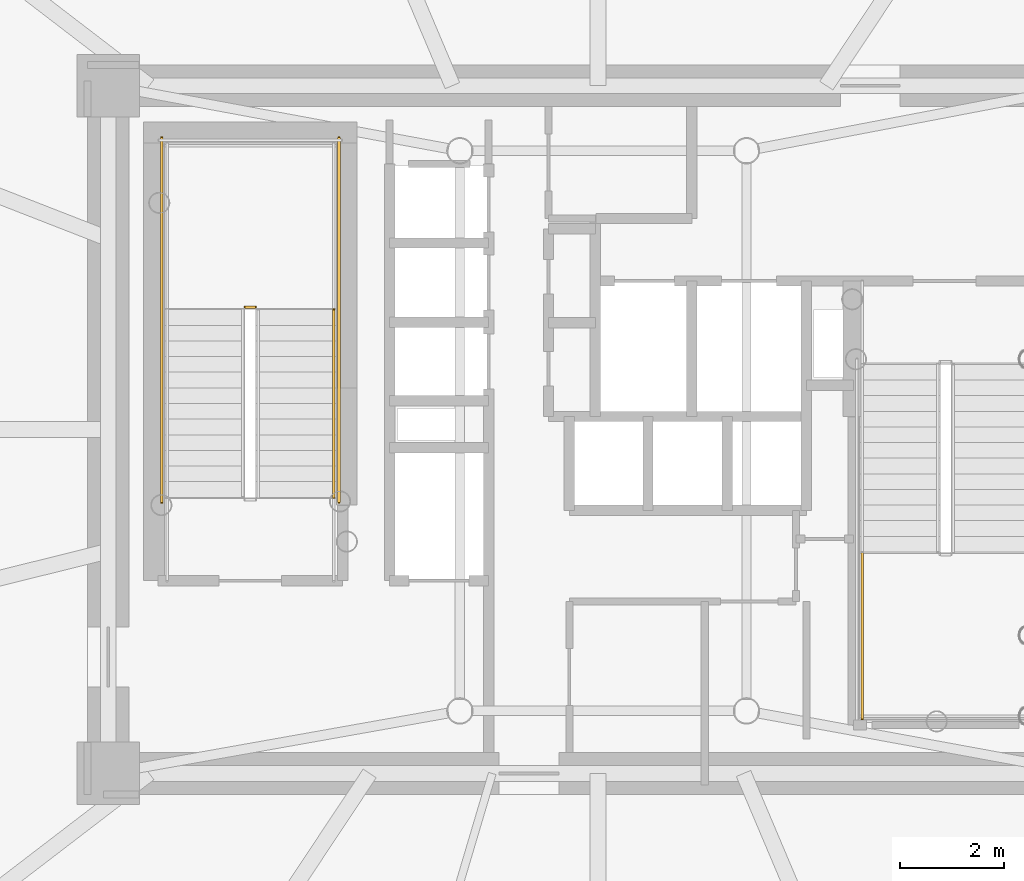
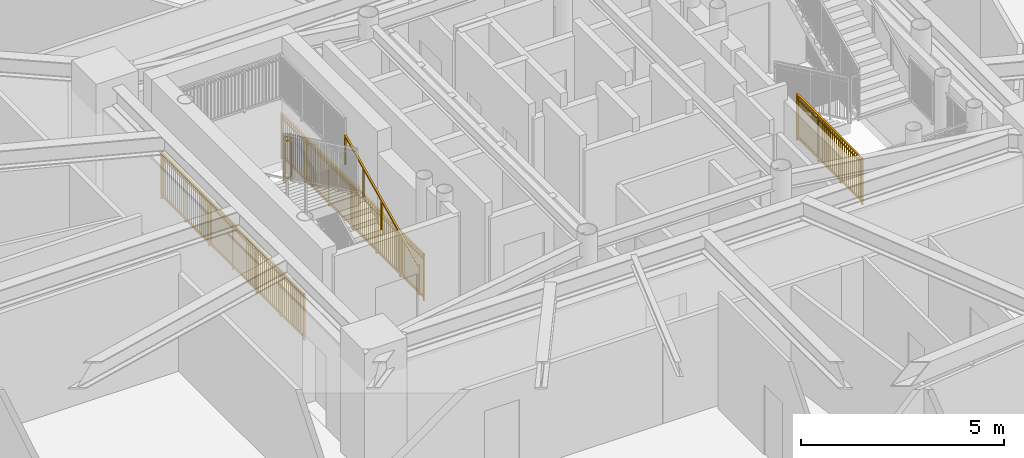
# One storey, part 17 of 21: 5 railings.
"""IFC4 building model written with IfcOpenShell, lengths in metres."""

from ifc_helpers import new_model, si_unit, direction, frame, origin, origin_2d, place, context, subcontext, project, spatial, rectangle, extrude, source, transform, mapped, material, type_object, element, save


model = new_model("IFC4")

# Units and contexts
model_context = context("Model", 3, precision=1e-05, world=origin(), true_north=direction((0.0, 1.0)))
body_context = subcontext(model_context, "Body", "Model", "MODEL_VIEW")
ifc_project = project(units=[si_unit("LENGTHUNIT", "METRE"), si_unit("AREAUNIT", "SQUARE_METRE"), si_unit("VOLUMEUNIT", "CUBIC_METRE"), si_unit("PLANEANGLEUNIT", "RADIAN"), si_unit("MASSUNIT", "GRAM", prefix="KILO")], contexts=[model_context])

# Site, building, storey
site_placement = place(None, origin())
site = spatial("IfcSite", under=ifc_project, at=site_placement, CompositionType="ELEMENT")
building_placement = place(site_placement, origin())
building = spatial("IfcBuilding", under=site, at=building_placement, Name="Linh Dai School and Residence Tower", CompositionType="ELEMENT")
storey_placement = place(building_placement, frame((0.0, 0.0, 171.14990234375)))
storey = spatial("IfcBuildingStorey", under=building, at=storey_placement, Name="L41", CompositionType="ELEMENT", Elevation=171.14990234375)

# Railings
ifc_material_1 = material(Name="Structural Steel S355JR", Category="steel")
railing_type_1 = type_object("IfcRailingType", Name="RL-ST-GUARD-1400", PredefinedType="GUARDRAIL", material=ifc_material_1)
shared_shape_1 = source(origin(), body_context, "Body", "SweptSolid", [
    extrude(rectangle(XDim=0.048095703125, YDim=0.048095703125, at=origin_2d()), frame((0.0, 0.0, 1.3759765625), z_axis=(-1.0, 0.0, 0.0), x_axis=(0.0, -1.0, 0.0)), (0.0, 0.0, 1.0), 0.199951171875),
    extrude(rectangle(XDim=0.048095703125, YDim=0.048095703125, at=origin_2d()), frame((0.0, 0.0, 0.10009765625), z_axis=(-1.0, 0.0, 0.0), x_axis=(0.0, -1.0, 0.0)), (0.0, 0.0, 1.0), 0.199951171875),
    extrude(rectangle(XDim=0.030029296875, YDim=0.030029296875, at=origin_2d()), frame((0.0, 0.0, 1.239990234375), z_axis=(-1.0, 0.0, 0.0), x_axis=(0.0, -1.0, 0.0)), (0.0, 0.0, 1.0), 0.199951171875),
    extrude(rectangle(XDim=0.0419921875, YDim=0.0419921875, at=origin_2d()), origin(), (0.0, 0.0, 1.0), 1.3759765625),
    extrude(rectangle(XDim=0.0419921875, YDim=0.0419921875, at=origin_2d()), frame((-0.199951171875, 0.0, 0.0)), (0.0, 0.0, 1.0), 1.3759765625),
])
railing_1_placement = place(storey_placement, frame((29.429931640625, 29.35009765625, 1.875)))
element("IfcRailing", 1, at=railing_1_placement, inside=storey, type_object=railing_type_1, Name="L41 ST1 stair guard 2", PredefinedType="GUARDRAIL", context=body_context, shape_type="MappedRepresentation", body=[
    mapped(shared_shape_1, transform((0.0, 0.0, 0.0), x_axis=(1.0, 0.0, 0.0), y_axis=(0.0, 1.0, 0.0), z_axis=(0.0, 0.0, 1.0), scale=1.0)),
])
shared_shape_2 = source(origin(), body_context, "Body", "SweptSolid", [
    extrude(rectangle(XDim=0.048095703125, YDim=0.048095703125, at=origin_2d()), frame((0.0, 0.0, 1.3759765625), z_axis=(0.0, 1.0, 0.0), x_axis=(-1.0, 0.0, 0.0)), (0.0, 0.0, 1.0), 7.0),
    extrude(rectangle(XDim=0.048095703125, YDim=0.048095703125, at=origin_2d()), frame((0.0, 0.0, 0.10009765625), z_axis=(0.0, 1.0, 0.0), x_axis=(-1.0, 0.0, 0.0)), (0.0, 0.0, 1.0), 7.0),
    extrude(rectangle(XDim=0.030029296875, YDim=0.030029296875, at=origin_2d()), frame((0.0, 0.0, 1.239990234375), z_axis=(0.0, 1.0, 0.0), x_axis=(-1.0, 0.0, 0.0)), (0.0, 0.0, 1.0), 7.0),
    extrude(rectangle(XDim=0.02001953125, YDim=0.02001953125, at=origin_2d()), frame((0.0, 0.09716796875, 0.10009765625)), (0.0, 0.0, 1.0), 1.251708984375),
    extrude(rectangle(XDim=0.02001953125, YDim=0.02001953125, at=origin_2d()), frame((0.0, 0.1943359375, 0.10009765625)), (0.0, 0.0, 1.0), 1.251708984375),
    extrude(rectangle(XDim=0.02001953125, YDim=0.02001953125, at=origin_2d()), frame((0.0, 0.291748046875, 0.10009765625)), (0.0, 0.0, 1.0), 1.251708984375),
    extrude(rectangle(XDim=0.02001953125, YDim=0.02001953125, at=origin_2d()), frame((0.0, 0.388916015625, 0.10009765625)), (0.0, 0.0, 1.0), 1.251708984375),
    extrude(rectangle(XDim=0.02001953125, YDim=0.02001953125, at=origin_2d()), frame((0.0, 0.486083984375, 0.10009765625)), (0.0, 0.0, 1.0), 1.251708984375),
    extrude(rectangle(XDim=0.02001953125, YDim=0.02001953125, at=origin_2d()), frame((0.0, 0.583251953125, 0.10009765625)), (0.0, 0.0, 1.0), 1.251708984375),
    extrude(rectangle(XDim=0.02001953125, YDim=0.02001953125, at=origin_2d()), frame((0.0, 0.6806640625, 0.10009765625)), (0.0, 0.0, 1.0), 1.251708984375),
    extrude(rectangle(XDim=0.02001953125, YDim=0.02001953125, at=origin_2d()), frame((0.0, 0.77783203125, 0.10009765625)), (0.0, 0.0, 1.0), 1.251708984375),
    extrude(rectangle(XDim=0.02001953125, YDim=0.02001953125, at=origin_2d()), frame((0.0, 0.875, 0.10009765625)), (0.0, 0.0, 1.0), 1.251708984375),
    extrude(rectangle(XDim=0.02001953125, YDim=0.02001953125, at=origin_2d()), frame((0.0, 0.97216796875, 0.10009765625)), (0.0, 0.0, 1.0), 1.251708984375),
    extrude(rectangle(XDim=0.02001953125, YDim=0.02001953125, at=origin_2d()), frame((0.0, 1.0693359375, 0.10009765625)), (0.0, 0.0, 1.0), 1.251708984375),
    extrude(rectangle(XDim=0.02001953125, YDim=0.02001953125, at=origin_2d()), frame((0.0, 1.263916015625, 0.10009765625)), (0.0, 0.0, 1.0), 1.251708984375),
    extrude(rectangle(XDim=0.02001953125, YDim=0.02001953125, at=origin_2d()), frame((0.0, 1.361083984375, 0.10009765625)), (0.0, 0.0, 1.0), 1.251708984375),
    extrude(rectangle(XDim=0.02001953125, YDim=0.02001953125, at=origin_2d()), frame((0.0, 1.458251953125, 0.10009765625)), (0.0, 0.0, 1.0), 1.251708984375),
    extrude(rectangle(XDim=0.02001953125, YDim=0.02001953125, at=origin_2d()), frame((0.0, 1.5556640625, 0.10009765625)), (0.0, 0.0, 1.0), 1.251708984375),
    extrude(rectangle(XDim=0.02001953125, YDim=0.02001953125, at=origin_2d()), frame((0.0, 1.65283203125, 0.10009765625)), (0.0, 0.0, 1.0), 1.251708984375),
    extrude(rectangle(XDim=0.02001953125, YDim=0.02001953125, at=origin_2d()), frame((0.0, 1.75, 0.10009765625)), (0.0, 0.0, 1.0), 1.251708984375),
    extrude(rectangle(XDim=0.02001953125, YDim=0.02001953125, at=origin_2d()), frame((0.0, 1.84716796875, 0.10009765625)), (0.0, 0.0, 1.0), 1.251708984375),
    extrude(rectangle(XDim=0.02001953125, YDim=0.02001953125, at=origin_2d()), frame((0.0, 1.9443359375, 0.10009765625)), (0.0, 0.0, 1.0), 1.251708984375),
    extrude(rectangle(XDim=0.02001953125, YDim=0.02001953125, at=origin_2d()), frame((0.0, 2.041748046875, 0.10009765625)), (0.0, 0.0, 1.0), 1.251708984375),
    extrude(rectangle(XDim=0.02001953125, YDim=0.02001953125, at=origin_2d()), frame((0.0, 2.138916015625, 0.10009765625)), (0.0, 0.0, 1.0), 1.251708984375),
    extrude(rectangle(XDim=0.02001953125, YDim=0.02001953125, at=origin_2d()), frame((0.0, 2.236083984375, 0.10009765625)), (0.0, 0.0, 1.0), 1.251708984375),
    extrude(rectangle(XDim=0.02001953125, YDim=0.02001953125, at=origin_2d()), frame((0.0, 2.4306640625, 0.10009765625)), (0.0, 0.0, 1.0), 1.251708984375),
    extrude(rectangle(XDim=0.02001953125, YDim=0.02001953125, at=origin_2d()), frame((0.0, 2.52783203125, 0.10009765625)), (0.0, 0.0, 1.0), 1.251708984375),
    extrude(rectangle(XDim=0.02001953125, YDim=0.02001953125, at=origin_2d()), frame((0.0, 2.625, 0.10009765625)), (0.0, 0.0, 1.0), 1.251708984375),
    extrude(rectangle(XDim=0.02001953125, YDim=0.02001953125, at=origin_2d()), frame((0.0, 2.72216796875, 0.10009765625)), (0.0, 0.0, 1.0), 1.251708984375),
    extrude(rectangle(XDim=0.02001953125, YDim=0.02001953125, at=origin_2d()), frame((0.0, 2.8193359375, 0.10009765625)), (0.0, 0.0, 1.0), 1.251708984375),
    extrude(rectangle(XDim=0.02001953125, YDim=0.02001953125, at=origin_2d()), frame((0.0, 2.916748046875, 0.10009765625)), (0.0, 0.0, 1.0), 1.251708984375),
    extrude(rectangle(XDim=0.02001953125, YDim=0.02001953125, at=origin_2d()), frame((0.0, 3.013916015625, 0.10009765625)), (0.0, 0.0, 1.0), 1.251708984375),
    extrude(rectangle(XDim=0.02001953125, YDim=0.02001953125, at=origin_2d()), frame((0.0, 3.111083984375, 0.10009765625)), (0.0, 0.0, 1.0), 1.251708984375),
    extrude(rectangle(XDim=0.02001953125, YDim=0.02001953125, at=origin_2d()), frame((0.0, 3.208251953125, 0.10009765625)), (0.0, 0.0, 1.0), 1.251708984375),
    extrude(rectangle(XDim=0.02001953125, YDim=0.02001953125, at=origin_2d()), frame((0.0, 3.3056640625, 0.10009765625)), (0.0, 0.0, 1.0), 1.251708984375),
    extrude(rectangle(XDim=0.02001953125, YDim=0.02001953125, at=origin_2d()), frame((0.0, 3.40283203125, 0.10009765625)), (0.0, 0.0, 1.0), 1.251708984375),
    extrude(rectangle(XDim=0.02001953125, YDim=0.02001953125, at=origin_2d()), frame((0.0, 3.59716796875, 0.10009765625)), (0.0, 0.0, 1.0), 1.251708984375),
    extrude(rectangle(XDim=0.02001953125, YDim=0.02001953125, at=origin_2d()), frame((0.0, 3.6943359375, 0.10009765625)), (0.0, 0.0, 1.0), 1.251708984375),
    extrude(rectangle(XDim=0.02001953125, YDim=0.02001953125, at=origin_2d()), frame((0.0, 3.791748046875, 0.10009765625)), (0.0, 0.0, 1.0), 1.251708984375),
    extrude(rectangle(XDim=0.02001953125, YDim=0.02001953125, at=origin_2d()), frame((0.0, 3.888916015625, 0.10009765625)), (0.0, 0.0, 1.0), 1.251708984375),
    extrude(rectangle(XDim=0.02001953125, YDim=0.02001953125, at=origin_2d()), frame((0.0, 3.986083984375, 0.10009765625)), (0.0, 0.0, 1.0), 1.251708984375),
    extrude(rectangle(XDim=0.02001953125, YDim=0.02001953125, at=origin_2d()), frame((0.0, 4.083251953125, 0.10009765625)), (0.0, 0.0, 1.0), 1.251708984375),
    extrude(rectangle(XDim=0.02001953125, YDim=0.02001953125, at=origin_2d()), frame((0.0, 4.1806640625, 0.10009765625)), (0.0, 0.0, 1.0), 1.251708984375),
    extrude(rectangle(XDim=0.02001953125, YDim=0.02001953125, at=origin_2d()), frame((0.0, 4.27783203125, 0.10009765625)), (0.0, 0.0, 1.0), 1.251708984375),
    extrude(rectangle(XDim=0.02001953125, YDim=0.02001953125, at=origin_2d()), frame((0.0, 4.375, 0.10009765625)), (0.0, 0.0, 1.0), 1.251708984375),
    extrude(rectangle(XDim=0.02001953125, YDim=0.02001953125, at=origin_2d()), frame((0.0, 4.47216796875, 0.10009765625)), (0.0, 0.0, 1.0), 1.251708984375),
    extrude(rectangle(XDim=0.02001953125, YDim=0.02001953125, at=origin_2d()), frame((0.0, 4.5693359375, 0.10009765625)), (0.0, 0.0, 1.0), 1.251708984375),
    extrude(rectangle(XDim=0.02001953125, YDim=0.02001953125, at=origin_2d()), frame((0.0, 4.763916015625, 0.10009765625)), (0.0, 0.0, 1.0), 1.251708984375),
    extrude(rectangle(XDim=0.02001953125, YDim=0.02001953125, at=origin_2d()), frame((0.0, 4.861083984375, 0.10009765625)), (0.0, 0.0, 1.0), 1.251708984375),
    extrude(rectangle(XDim=0.02001953125, YDim=0.02001953125, at=origin_2d()), frame((0.0, 4.958251953125, 0.10009765625)), (0.0, 0.0, 1.0), 1.251708984375),
    extrude(rectangle(XDim=0.02001953125, YDim=0.02001953125, at=origin_2d()), frame((0.0, 5.0556640625, 0.10009765625)), (0.0, 0.0, 1.0), 1.251708984375),
    extrude(rectangle(XDim=0.02001953125, YDim=0.02001953125, at=origin_2d()), frame((0.0, 5.15283203125, 0.10009765625)), (0.0, 0.0, 1.0), 1.251708984375),
    extrude(rectangle(XDim=0.02001953125, YDim=0.02001953125, at=origin_2d()), frame((0.0, 5.25, 0.10009765625)), (0.0, 0.0, 1.0), 1.251708984375),
    extrude(rectangle(XDim=0.02001953125, YDim=0.02001953125, at=origin_2d()), frame((0.0, 5.34716796875, 0.10009765625)), (0.0, 0.0, 1.0), 1.251708984375),
    extrude(rectangle(XDim=0.02001953125, YDim=0.02001953125, at=origin_2d()), frame((0.0, 5.4443359375, 0.10009765625)), (0.0, 0.0, 1.0), 1.251708984375),
    extrude(rectangle(XDim=0.02001953125, YDim=0.02001953125, at=origin_2d()), frame((0.0, 5.541748046875, 0.10009765625)), (0.0, 0.0, 1.0), 1.251708984375),
    extrude(rectangle(XDim=0.02001953125, YDim=0.02001953125, at=origin_2d()), frame((0.0, 5.638916015625, 0.10009765625)), (0.0, 0.0, 1.0), 1.251708984375),
    extrude(rectangle(XDim=0.02001953125, YDim=0.02001953125, at=origin_2d()), frame((0.0, 5.736083984375, 0.10009765625)), (0.0, 0.0, 1.0), 1.251708984375),
    extrude(rectangle(XDim=0.02001953125, YDim=0.02001953125, at=origin_2d()), frame((0.0, 5.9306640625, 0.10009765625)), (0.0, 0.0, 1.0), 1.251708984375),
    extrude(rectangle(XDim=0.02001953125, YDim=0.02001953125, at=origin_2d()), frame((0.0, 6.02783203125, 0.10009765625)), (0.0, 0.0, 1.0), 1.251708984375),
    extrude(rectangle(XDim=0.02001953125, YDim=0.02001953125, at=origin_2d()), frame((0.0, 6.125, 0.10009765625)), (0.0, 0.0, 1.0), 1.251708984375),
    extrude(rectangle(XDim=0.02001953125, YDim=0.02001953125, at=origin_2d()), frame((0.0, 6.22216796875, 0.10009765625)), (0.0, 0.0, 1.0), 1.251708984375),
    extrude(rectangle(XDim=0.02001953125, YDim=0.02001953125, at=origin_2d()), frame((0.0, 6.3193359375, 0.10009765625)), (0.0, 0.0, 1.0), 1.251708984375),
    extrude(rectangle(XDim=0.02001953125, YDim=0.02001953125, at=origin_2d()), frame((0.0, 6.416748046875, 0.10009765625)), (0.0, 0.0, 1.0), 1.251708984375),
    extrude(rectangle(XDim=0.02001953125, YDim=0.02001953125, at=origin_2d()), frame((0.0, 6.513916015625, 0.10009765625)), (0.0, 0.0, 1.0), 1.251708984375),
    extrude(rectangle(XDim=0.02001953125, YDim=0.02001953125, at=origin_2d()), frame((0.0, 6.611083984375, 0.10009765625)), (0.0, 0.0, 1.0), 1.251708984375),
    extrude(rectangle(XDim=0.02001953125, YDim=0.02001953125, at=origin_2d()), frame((0.0, 6.708251953125, 0.10009765625)), (0.0, 0.0, 1.0), 1.251708984375),
    extrude(rectangle(XDim=0.02001953125, YDim=0.02001953125, at=origin_2d()), frame((0.0, 6.8056640625, 0.10009765625)), (0.0, 0.0, 1.0), 1.251708984375),
    extrude(rectangle(XDim=0.02001953125, YDim=0.02001953125, at=origin_2d()), frame((0.0, 6.90283203125, 0.10009765625)), (0.0, 0.0, 1.0), 1.251708984375),
    extrude(rectangle(XDim=0.0419921875, YDim=0.0419921875, at=origin_2d()), origin(), (0.0, 0.0, 1.0), 1.3759765625),
    extrude(rectangle(XDim=0.0419921875, YDim=0.0419921875, at=origin_2d()), frame((0.0, 1.166748046875, 0.0)), (0.0, 0.0, 1.0), 1.3759765625),
    extrude(rectangle(XDim=0.0419921875, YDim=0.0419921875, at=origin_2d()), frame((0.0, 2.333251953125, 0.0)), (0.0, 0.0, 1.0), 1.3759765625),
    extrude(rectangle(XDim=0.0419921875, YDim=0.0419921875, at=origin_2d()), frame((0.0, 3.5, 0.0)), (0.0, 0.0, 1.0), 1.3759765625),
    extrude(rectangle(XDim=0.0419921875, YDim=0.0419921875, at=origin_2d()), frame((0.0, 4.666748046875, 0.0)), (0.0, 0.0, 1.0), 1.3759765625),
    extrude(rectangle(XDim=0.0419921875, YDim=0.0419921875, at=origin_2d()), frame((0.0, 5.833251953125, 0.0)), (0.0, 0.0, 1.0), 1.3759765625),
    extrude(rectangle(XDim=0.0419921875, YDim=0.0419921875, at=origin_2d()), frame((0.0, 7.0, 0.0)), (0.0, 0.0, 1.0), 1.3759765625),
])
for number, where, name in (
    (2, (31.030029296875, 25.60009765625, 0.0), "L41 ST1 stair guard 10"),
    (3, (27.6298828125, 25.60009765625, 0.0), "L41 ST1 stair guard 11"),
):
    element("IfcRailing", number, at=place(storey_placement, frame(where)), inside=storey, type_object=railing_type_1, Name=name, PredefinedType="GUARDRAIL", context=body_context, shape_type="MappedRepresentation", body=[
        mapped(shared_shape_2, transform((0.0, 0.0, 0.0), x_axis=(1.0, 0.0, 0.0), y_axis=(0.0, 1.0, 0.0), z_axis=(0.0, 0.0, 1.0), scale=1.0)),
    ])
ifc_material_2 = material(Name="Brushed Stainless Steel Handrail", Category="steel")
railing_type_2 = type_object("IfcRailingType", Name="RL-ST-HANDRAIL-900", PredefinedType="HANDRAIL", material=ifc_material_2)
shared_shape_3 = source(origin(), body_context, "Body", "SweptSolid", [
    extrude(rectangle(XDim=0.048095703125, YDim=0.048095703125, at=origin_2d()), frame((0.0, 0.0, 0.8759765625), z_axis=(0.0, 0.901262522062, 0.433273431364), x_axis=(-1.0, 0.0, 0.0)), (0.0, 0.0, 1.0), 3.994384765625),
    extrude(rectangle(XDim=0.0419921875, YDim=0.0419921875, at=origin_2d()), origin(), (0.0, 0.0, 1.0), 0.8759765625),
    extrude(rectangle(XDim=0.0419921875, YDim=0.0419921875, at=origin_2d()), frame((0.0, 0.89990234375, 0.4326171875)), (0.0, 0.0, 1.0), 0.8759765625),
    extrude(rectangle(XDim=0.0419921875, YDim=0.0419921875, at=origin_2d()), frame((0.0, 1.800048828125, 0.865234375)), (0.0, 0.0, 1.0), 0.8759765625),
    extrude(rectangle(XDim=0.0419921875, YDim=0.0419921875, at=origin_2d()), frame((0.0, 2.7001953125, 1.298095703125)), (0.0, 0.0, 1.0), 0.8759765625),
    extrude(rectangle(XDim=0.0419921875, YDim=0.0419921875, at=origin_2d()), frame((0.0, 3.60009765625, 1.730712890625)), (0.0, 0.0, 1.0), 0.8759765625),
])
railing_2_placement = place(storey_placement, frame((30.929931640625, 25.699951171875, 0.144287109375)))
element("IfcRailing", 4, at=railing_2_placement, inside=storey, type_object=railing_type_2, Name="L41 ST1 stair handrail 1", PredefinedType="HANDRAIL", context=body_context, shape_type="MappedRepresentation", body=[
    mapped(shared_shape_3, transform((0.0, 0.0, 0.0), x_axis=(1.0, 0.0, 0.0), y_axis=(0.0, 1.0, 0.0), z_axis=(0.0, 0.0, 1.0), scale=1.0)),
])
shared_shape_4 = source(origin(), body_context, "Body", "SweptSolid", [
    extrude(rectangle(XDim=0.048095703125, YDim=0.048095703125, at=origin_2d()), frame((0.0, 0.0, 1.3759765625), z_axis=(0.0, -1.0, 0.0), x_axis=(1.0, 0.0, 0.0)), (0.0, 0.0, 1.0), 3.199951171875),
    extrude(rectangle(XDim=0.048095703125, YDim=0.048095703125, at=origin_2d()), frame((0.0, 0.0, 0.10009765625), z_axis=(0.0, -1.0, 0.0), x_axis=(1.0, 0.0, 0.0)), (0.0, 0.0, 1.0), 3.199951171875),
    extrude(rectangle(XDim=0.030029296875, YDim=0.030029296875, at=origin_2d()), frame((0.0, 0.0, 1.239990234375), z_axis=(0.0, -1.0, 0.0), x_axis=(1.0, 0.0, 0.0)), (0.0, 0.0, 1.0), 3.199951171875),
    extrude(rectangle(XDim=0.02001953125, YDim=0.02001953125, at=origin_2d()), frame((0.0, -0.096923828125, 0.10009765625)), (0.0, 0.0, 1.0), 1.251708984375),
    extrude(rectangle(XDim=0.02001953125, YDim=0.02001953125, at=origin_2d()), frame((0.0, -0.19384765625, 0.10009765625)), (0.0, 0.0, 1.0), 1.251708984375),
    extrude(rectangle(XDim=0.02001953125, YDim=0.02001953125, at=origin_2d()), frame((0.0, -0.291015625, 0.10009765625)), (0.0, 0.0, 1.0), 1.251708984375),
    extrude(rectangle(XDim=0.02001953125, YDim=0.02001953125, at=origin_2d()), frame((0.0, -0.387939453125, 0.10009765625)), (0.0, 0.0, 1.0), 1.251708984375),
    extrude(rectangle(XDim=0.02001953125, YDim=0.02001953125, at=origin_2d()), frame((0.0, -0.48486328125, 0.10009765625)), (0.0, 0.0, 1.0), 1.251708984375),
    extrude(rectangle(XDim=0.02001953125, YDim=0.02001953125, at=origin_2d()), frame((0.0, -0.581787109375, 0.10009765625)), (0.0, 0.0, 1.0), 1.251708984375),
    extrude(rectangle(XDim=0.02001953125, YDim=0.02001953125, at=origin_2d()), frame((0.0, -0.6787109375, 0.10009765625)), (0.0, 0.0, 1.0), 1.251708984375),
    extrude(rectangle(XDim=0.02001953125, YDim=0.02001953125, at=origin_2d()), frame((0.0, -0.775634765625, 0.10009765625)), (0.0, 0.0, 1.0), 1.251708984375),
    extrude(rectangle(XDim=0.02001953125, YDim=0.02001953125, at=origin_2d()), frame((0.0, -0.872802734375, 0.10009765625)), (0.0, 0.0, 1.0), 1.251708984375),
    extrude(rectangle(XDim=0.02001953125, YDim=0.02001953125, at=origin_2d()), frame((0.0, -0.9697265625, 0.10009765625)), (0.0, 0.0, 1.0), 1.251708984375),
    extrude(rectangle(XDim=0.02001953125, YDim=0.02001953125, at=origin_2d()), frame((0.0, -1.16357421875, 0.10009765625)), (0.0, 0.0, 1.0), 1.251708984375),
    extrude(rectangle(XDim=0.02001953125, YDim=0.02001953125, at=origin_2d()), frame((0.0, -1.260498046875, 0.10009765625)), (0.0, 0.0, 1.0), 1.251708984375),
    extrude(rectangle(XDim=0.02001953125, YDim=0.02001953125, at=origin_2d()), frame((0.0, -1.357666015625, 0.10009765625)), (0.0, 0.0, 1.0), 1.251708984375),
    extrude(rectangle(XDim=0.02001953125, YDim=0.02001953125, at=origin_2d()), frame((0.0, -1.45458984375, 0.10009765625)), (0.0, 0.0, 1.0), 1.251708984375),
    extrude(rectangle(XDim=0.02001953125, YDim=0.02001953125, at=origin_2d()), frame((0.0, -1.551513671875, 0.10009765625)), (0.0, 0.0, 1.0), 1.251708984375),
    extrude(rectangle(XDim=0.02001953125, YDim=0.02001953125, at=origin_2d()), frame((0.0, -1.6484375, 0.10009765625)), (0.0, 0.0, 1.0), 1.251708984375),
    extrude(rectangle(XDim=0.02001953125, YDim=0.02001953125, at=origin_2d()), frame((0.0, -1.745361328125, 0.10009765625)), (0.0, 0.0, 1.0), 1.251708984375),
    extrude(rectangle(XDim=0.02001953125, YDim=0.02001953125, at=origin_2d()), frame((0.0, -1.84228515625, 0.10009765625)), (0.0, 0.0, 1.0), 1.251708984375),
    extrude(rectangle(XDim=0.02001953125, YDim=0.02001953125, at=origin_2d()), frame((0.0, -1.939453125, 0.10009765625)), (0.0, 0.0, 1.0), 1.251708984375),
    extrude(rectangle(XDim=0.02001953125, YDim=0.02001953125, at=origin_2d()), frame((0.0, -2.036376953125, 0.10009765625)), (0.0, 0.0, 1.0), 1.251708984375),
    extrude(rectangle(XDim=0.02001953125, YDim=0.02001953125, at=origin_2d()), frame((0.0, -2.230224609375, 0.10009765625)), (0.0, 0.0, 1.0), 1.251708984375),
    extrude(rectangle(XDim=0.02001953125, YDim=0.02001953125, at=origin_2d()), frame((0.0, -2.3271484375, 0.10009765625)), (0.0, 0.0, 1.0), 1.251708984375),
    extrude(rectangle(XDim=0.02001953125, YDim=0.02001953125, at=origin_2d()), frame((0.0, -2.42431640625, 0.10009765625)), (0.0, 0.0, 1.0), 1.251708984375),
    extrude(rectangle(XDim=0.02001953125, YDim=0.02001953125, at=origin_2d()), frame((0.0, -2.521240234375, 0.10009765625)), (0.0, 0.0, 1.0), 1.251708984375),
    extrude(rectangle(XDim=0.02001953125, YDim=0.02001953125, at=origin_2d()), frame((0.0, -2.6181640625, 0.10009765625)), (0.0, 0.0, 1.0), 1.251708984375),
    extrude(rectangle(XDim=0.02001953125, YDim=0.02001953125, at=origin_2d()), frame((0.0, -2.715087890625, 0.10009765625)), (0.0, 0.0, 1.0), 1.251708984375),
    extrude(rectangle(XDim=0.02001953125, YDim=0.02001953125, at=origin_2d()), frame((0.0, -2.81201171875, 0.10009765625)), (0.0, 0.0, 1.0), 1.251708984375),
    extrude(rectangle(XDim=0.02001953125, YDim=0.02001953125, at=origin_2d()), frame((0.0, -2.908935546875, 0.10009765625)), (0.0, 0.0, 1.0), 1.251708984375),
    extrude(rectangle(XDim=0.02001953125, YDim=0.02001953125, at=origin_2d()), frame((0.0, -3.006103515625, 0.10009765625)), (0.0, 0.0, 1.0), 1.251708984375),
    extrude(rectangle(XDim=0.02001953125, YDim=0.02001953125, at=origin_2d()), frame((0.0, -3.10302734375, 0.10009765625)), (0.0, 0.0, 1.0), 1.251708984375),
    extrude(rectangle(XDim=0.0419921875, YDim=0.0419921875, at=origin_2d()), origin(), (0.0, 0.0, 1.0), 1.3759765625),
    extrude(rectangle(XDim=0.0419921875, YDim=0.0419921875, at=origin_2d()), frame((0.0, -1.066650390625, 0.0)), (0.0, 0.0, 1.0), 1.3759765625),
    extrude(rectangle(XDim=0.0419921875, YDim=0.0419921875, at=origin_2d()), frame((0.0, -2.13330078125, 0.0)), (0.0, 0.0, 1.0), 1.3759765625),
    extrude(rectangle(XDim=0.0419921875, YDim=0.0419921875, at=origin_2d()), frame((0.0, -3.199951171875, 0.0)), (0.0, 0.0, 1.0), 1.3759765625),
])
railing_3_placement = place(storey_placement, frame((41.070068359375, 24.64990234375, 1.875)))
element("IfcRailing", 5, at=railing_3_placement, inside=storey, type_object=railing_type_1, Name="L41 ST2 stair guard 3", PredefinedType="GUARDRAIL", context=body_context, shape_type="MappedRepresentation", body=[
    mapped(shared_shape_4, transform((0.0, 0.0, 0.0), x_axis=(1.0, 0.0, 0.0), y_axis=(0.0, 1.0, 0.0), z_axis=(0.0, 0.0, 1.0), scale=1.0)),
])

save(model, "model.ifc")
